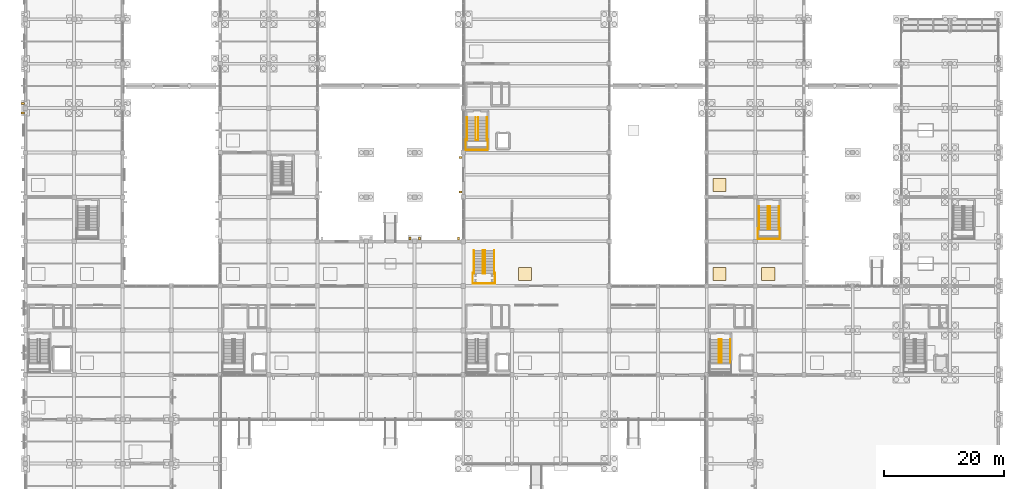
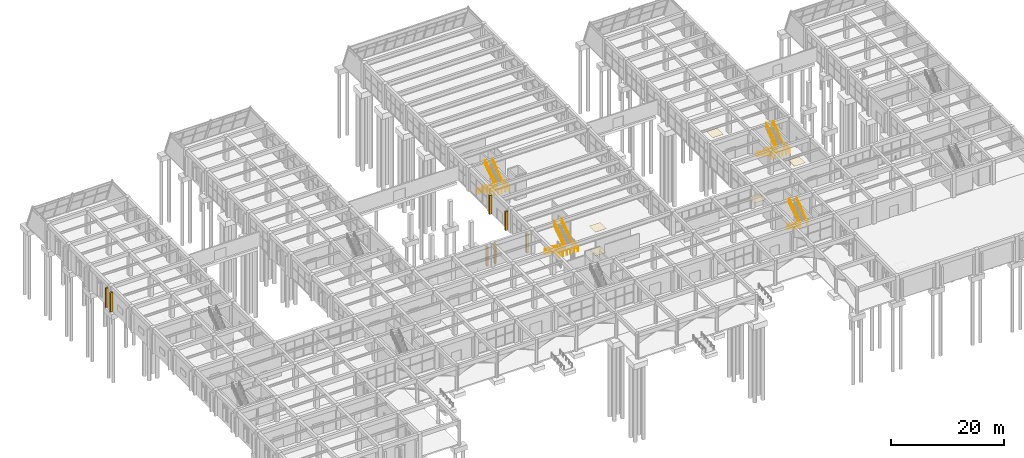
# One storey, part 136 of 140: 14 railings, 7 shading devices, 5 coverings.
"""IFC4 building model written with IfcOpenShell, lengths in metres."""

from ifc_helpers import new_model, si_unit, direction, frame, origin, origin_2d, place, context, subcontext, project, spatial, rectangle, circle, extrude, material, layer, layer_set, type_object, element, save


model = new_model("IFC4")

# Units and contexts
model_context = context("Model", 3, precision=1e-05, world=origin(), true_north=direction((0.0, 1.0)))
body_context = subcontext(model_context, "Body", "Model", "MODEL_VIEW")
ifc_project = project(units=[si_unit("LENGTHUNIT", "METRE"), si_unit("AREAUNIT", "SQUARE_METRE"), si_unit("VOLUMEUNIT", "CUBIC_METRE"), si_unit("PLANEANGLEUNIT", "RADIAN"), si_unit("MASSUNIT", "GRAM", prefix="KILO")], contexts=[model_context])

# Site, building, storey
site_placement = place(None, origin())
site = spatial("IfcSite", under=ifc_project, at=site_placement, CompositionType="ELEMENT")
building_placement = place(site_placement, origin())
building = spatial("IfcBuilding", under=site, at=building_placement, Name="Cimatlan Art Gallery", CompositionType="ELEMENT")
storey_placement = place(building_placement, origin())
storey = spatial("IfcBuildingStorey", under=building, at=storey_placement, Name="L00", CompositionType="ELEMENT", Elevation=0.0)

# Coverings
ifc_material_1 = material(Name="Micro-perforated acoustic gypsum ceiling")
ifc_layer_1 = layer(ifc_material_1, 0.030029296875)
ifc_layer_set_1 = layer_set([ifc_layer_1], Name="Micro-perforated acoustic gypsum ceiling")
covering_type_1 = type_object("IfcCoveringType", Name="COV-CEIL-ACOUSTIC-30", PredefinedType="CEILING", material=ifc_layer_set_1)
for number, where, z_axis, x_axis, name in (
    (1, (85.14990234375, 40.699951171875, 5.10498046875), (0.0, 0.0, 1.0), (1.0, 0.0, 0.0), "CLG-L00-GAL-C1"),
    (2, (125.64990234375, 40.699951171875, 5.10498046875), (0.0, 0.0, 1.0), (1.0, 0.0, 0.0), "CLG-L00-GAL-E1B"),
    (3, (117.550048828125, 55.5, 5.10498046875), (0.0, 0.0, 1.0), (1.0, 0.0, 0.0), "CLG-L00-GAL-E2"),
):
    element("IfcCovering", number, at=place(storey_placement, frame(where, z_axis=z_axis, x_axis=x_axis)), inside=storey, type_object=covering_type_1, Name=name, PredefinedType="CEILING", context=body_context, shape_type="SweptSolid", body=[
        extrude(rectangle(XDim=2.199951171875, YDim=2.199951171875, at=origin_2d()), origin(), (0.0, 0.0, 1.0), 0.030029296875),
    ])
ifc_material_2 = material(Name="Honed Queretaro limestone terrazzo flooring", Category="masonry")
ifc_layer_2 = layer(ifc_material_2, 0.02001953125)
ifc_layer_set_2 = layer_set([ifc_layer_2], Name="Honed Queretaro limestone terrazzo flooring")
covering_type_2 = type_object("IfcCoveringType", Name="COV-FLR-TERRAZZO-20", PredefinedType="FLOORING", material=ifc_layer_set_2)
for number, where, z_axis, x_axis, name in (
    (4, (85.14990234375, 40.699951171875, 0.0), (0.0, 0.0, 1.0), (1.0, 0.0, 0.0), "FLR-L00-GAL-C1"),
    (5, (117.550048828125, 40.699951171875, 0.0), (0.0, 0.0, 1.0), (1.0, 0.0, 0.0), "FLR-L00-GAL-E1"),
):
    element("IfcCovering", number, at=place(storey_placement, frame(where, z_axis=z_axis, x_axis=x_axis)), inside=storey, type_object=covering_type_2, Name=name, PredefinedType="FLOORING", context=body_context, shape_type="SweptSolid", body=[
        extrude(rectangle(XDim=2.199951171875, YDim=2.199951171875, at=origin_2d()), origin(), (0.0, 0.0, 1.0), 0.02001953125),
    ])

# Railings
ifc_material_3 = material(Name="Painted steel and bronze interior balustrade", Category="steel")
railing_type_1 = type_object("IfcRailingType", Name="RL-BAL-INT-1120", PredefinedType="BALUSTRADE", material=ifc_material_3)
railing_1_placement = place(storey_placement, frame((117.469970703125, 29.780029296875, 0.0)))
element("IfcRailing", 6, at=railing_1_placement, inside=storey, type_object=railing_type_1, Name="STR-C4-L00-GRD", PredefinedType="BALUSTRADE", context=body_context, shape_type="SweptSolid", body=[
    extrude(circle(Radius=0.02392578125, at=origin_2d()), frame((0.0, 0.0, 1.09619140625), z_axis=(0.0, -0.816969308413, 0.5766811503), x_axis=(1.0, 0.0, 0.0)), (0.0, 0.0, 1.0), 4.681884765625),
    extrude(circle(Radius=0.02392578125, at=origin_2d()), frame((0.0, -3.824951171875, 3.7958984375), z_axis=(1.0, 0.0, 0.0), x_axis=(0.0, 1.0, 0.0)), (0.0, 0.0, 1.0), 0.400146484375),
    extrude(circle(Radius=0.02392578125, at=origin_2d()), frame((0.400146484375, -3.824951171875, 3.7958984375), z_axis=(0.0, 0.816969308413, 0.5766811503), x_axis=(-1.0, 0.0, 0.0)), (0.0, 0.0, 1.0), 4.681884765625),
    extrude(circle(Radius=0.02001953125, at=origin_2d()), origin(), (0.0, 0.0, 1.0), 1.072021484375),
    extrude(circle(Radius=0.02001953125, at=origin_2d()), frame((0.0, -0.637451171875, 0.449951171875)), (0.0, 0.0, 1.0), 1.072021484375),
    extrude(circle(Radius=0.02001953125, at=origin_2d()), frame((0.0, -1.27490234375, 0.89990234375)), (0.0, 0.0, 1.0), 1.072021484375),
    extrude(circle(Radius=0.02001953125, at=origin_2d()), frame((0.0, -1.91259765625, 1.35009765625)), (0.0, 0.0, 1.0), 1.072021484375),
    extrude(circle(Radius=0.02001953125, at=origin_2d()), frame((0.0, -2.550048828125, 1.800048828125)), (0.0, 0.0, 1.0), 1.072021484375),
    extrude(circle(Radius=0.02001953125, at=origin_2d()), frame((0.0, -3.1875, 2.25)), (0.0, 0.0, 1.0), 1.072021484375),
    extrude(circle(Radius=0.02001953125, at=origin_2d()), frame((0.0, -3.824951171875, 2.699951171875)), (0.0, 0.0, 1.0), 1.072021484375),
    extrude(circle(Radius=0.02001953125, at=origin_2d()), frame((0.400146484375, -3.824951171875, 2.699951171875)), (0.0, 0.0, 1.0), 1.072021484375),
    extrude(circle(Radius=0.02001953125, at=origin_2d()), frame((0.400146484375, -3.1875, 3.14990234375)), (0.0, 0.0, 1.0), 1.072021484375),
    extrude(circle(Radius=0.02001953125, at=origin_2d()), frame((0.400146484375, -2.550048828125, 3.599853515625)), (0.0, 0.0, 1.0), 1.072021484375),
    extrude(circle(Radius=0.02001953125, at=origin_2d()), frame((0.400146484375, -1.91259765625, 4.0498046875)), (0.0, 0.0, 1.0), 1.072021484375),
    extrude(circle(Radius=0.02001953125, at=origin_2d()), frame((0.400146484375, -1.27490234375, 4.5)), (0.0, 0.0, 1.0), 1.072021484375),
    extrude(circle(Radius=0.02001953125, at=origin_2d()), frame((0.400146484375, -0.637451171875, 4.949951171875)), (0.0, 0.0, 1.0), 1.072021484375),
    extrude(circle(Radius=0.02001953125, at=origin_2d()), frame((0.400146484375, 0.0, 5.39990234375)), (0.0, 0.0, 1.0), 1.072021484375),
])
railing_2_placement = place(storey_placement, frame((75.31005859375, 63.06494140625, 2.699951171875)))
element("IfcRailing", 7, at=railing_2_placement, inside=storey, type_object=railing_type_1, Name="STR-C6-L00-LGRD", PredefinedType="BALUSTRADE", context=body_context, shape_type="SweptSolid", body=[
    extrude(circle(Radius=0.02392578125, at=origin_2d()), frame((0.0, 0.0, 1.09619140625), z_axis=(0.0, -1.0, 0.0), x_axis=(1.0, 0.0, 0.0)), (0.0, 0.0, 1.0), 1.7548828125),
    extrude(circle(Radius=0.02392578125, at=origin_2d()), frame((0.0, -1.7548828125, 1.09619140625), z_axis=(1.0, 0.0, 0.0), x_axis=(0.0, 1.0, 0.0)), (0.0, 0.0, 1.0), 3.669921875),
    extrude(circle(Radius=0.02392578125, at=origin_2d()), frame((3.669921875, -1.7548828125, 1.09619140625), z_axis=(0.0, 1.0, 0.0), x_axis=(-1.0, 0.0, 0.0)), (0.0, 0.0, 1.0), 1.7548828125),
    extrude(circle(Radius=0.02001953125, at=origin_2d()), origin(), (0.0, 0.0, 1.0), 1.072021484375),
    extrude(circle(Radius=0.02001953125, at=origin_2d()), frame((0.0, -0.87744140625, 0.0)), (0.0, 0.0, 1.0), 1.072021484375),
    extrude(circle(Radius=0.02001953125, at=origin_2d()), frame((0.0, -1.7548828125, 0.0)), (0.0, 0.0, 1.0), 1.072021484375),
    extrude(circle(Radius=0.02001953125, at=origin_2d()), frame((0.73388671875, -1.7548828125, 0.0)), (0.0, 0.0, 1.0), 1.072021484375),
    extrude(circle(Radius=0.02001953125, at=origin_2d()), frame((1.468017578125, -1.7548828125, 0.0)), (0.0, 0.0, 1.0), 1.072021484375),
    extrude(circle(Radius=0.02001953125, at=origin_2d()), frame((2.201904296875, -1.7548828125, 0.0)), (0.0, 0.0, 1.0), 1.072021484375),
    extrude(circle(Radius=0.02001953125, at=origin_2d()), frame((2.93603515625, -1.7548828125, 0.0)), (0.0, 0.0, 1.0), 1.072021484375),
    extrude(circle(Radius=0.02001953125, at=origin_2d()), frame((3.669921875, -1.7548828125, 0.0)), (0.0, 0.0, 1.0), 1.072021484375),
    extrude(circle(Radius=0.02001953125, at=origin_2d()), frame((3.669921875, -0.87744140625, 0.0)), (0.0, 0.0, 1.0), 1.072021484375),
    extrude(circle(Radius=0.02001953125, at=origin_2d()), frame((3.669921875, 0.0, 0.0)), (0.0, 0.0, 1.0), 1.072021484375),
])
railing_3_placement = place(storey_placement, frame((76.969970703125, 66.780029296875, 0.0)))
element("IfcRailing", 8, at=railing_3_placement, inside=storey, type_object=railing_type_1, Name="STR-C6-L00-GRD", PredefinedType="BALUSTRADE", context=body_context, shape_type="SweptSolid", body=[
    extrude(circle(Radius=0.02392578125, at=origin_2d()), frame((0.0, 0.0, 1.09619140625), z_axis=(0.0, -0.816969308413, 0.5766811503), x_axis=(1.0, 0.0, 0.0)), (0.0, 0.0, 1.0), 4.681884765625),
    extrude(circle(Radius=0.02392578125, at=origin_2d()), frame((0.0, -3.824951171875, 3.7958984375), z_axis=(1.0, 0.0, 0.0), x_axis=(0.0, 1.0, 0.0)), (0.0, 0.0, 1.0), 0.400146484375),
    extrude(circle(Radius=0.02392578125, at=origin_2d()), frame((0.400146484375, -3.824951171875, 3.7958984375), z_axis=(0.0, 0.816969308413, 0.5766811503), x_axis=(-1.0, 0.0, 0.0)), (0.0, 0.0, 1.0), 4.681884765625),
    extrude(circle(Radius=0.02001953125, at=origin_2d()), origin(), (0.0, 0.0, 1.0), 1.072021484375),
    extrude(circle(Radius=0.02001953125, at=origin_2d()), frame((0.0, -0.637451171875, 0.449951171875)), (0.0, 0.0, 1.0), 1.072021484375),
    extrude(circle(Radius=0.02001953125, at=origin_2d()), frame((0.0, -1.27490234375, 0.89990234375)), (0.0, 0.0, 1.0), 1.072021484375),
    extrude(circle(Radius=0.02001953125, at=origin_2d()), frame((0.0, -1.91259765625, 1.35009765625)), (0.0, 0.0, 1.0), 1.072021484375),
    extrude(circle(Radius=0.02001953125, at=origin_2d()), frame((0.0, -2.550048828125, 1.800048828125)), (0.0, 0.0, 1.0), 1.072021484375),
    extrude(circle(Radius=0.02001953125, at=origin_2d()), frame((0.0, -3.1875, 2.25)), (0.0, 0.0, 1.0), 1.072021484375),
    extrude(circle(Radius=0.02001953125, at=origin_2d()), frame((0.0, -3.824951171875, 2.699951171875)), (0.0, 0.0, 1.0), 1.072021484375),
    extrude(circle(Radius=0.02001953125, at=origin_2d()), frame((0.400146484375, -3.824951171875, 2.699951171875)), (0.0, 0.0, 1.0), 1.072021484375),
    extrude(circle(Radius=0.02001953125, at=origin_2d()), frame((0.400146484375, -3.1875, 3.14990234375)), (0.0, 0.0, 1.0), 1.072021484375),
    extrude(circle(Radius=0.02001953125, at=origin_2d()), frame((0.400146484375, -2.550048828125, 3.599853515625)), (0.0, 0.0, 1.0), 1.072021484375),
    extrude(circle(Radius=0.02001953125, at=origin_2d()), frame((0.400146484375, -1.91259765625, 4.0498046875)), (0.0, 0.0, 1.0), 1.072021484375),
    extrude(circle(Radius=0.02001953125, at=origin_2d()), frame((0.400146484375, -1.27490234375, 4.5)), (0.0, 0.0, 1.0), 1.072021484375),
    extrude(circle(Radius=0.02001953125, at=origin_2d()), frame((0.400146484375, -0.637451171875, 4.949951171875)), (0.0, 0.0, 1.0), 1.072021484375),
    extrude(circle(Radius=0.02001953125, at=origin_2d()), frame((0.400146484375, 0.0, 5.39990234375)), (0.0, 0.0, 1.0), 1.072021484375),
])
railing_4_placement = place(storey_placement, frame((123.909912109375, 48.264892578125, 2.699951171875)))
element("IfcRailing", 9, at=railing_4_placement, inside=storey, type_object=railing_type_1, Name="STR-C9-L00-LGRD", PredefinedType="BALUSTRADE", context=body_context, shape_type="SweptSolid", body=[
    extrude(circle(Radius=0.02392578125, at=origin_2d()), frame((0.0, 0.0, 1.09619140625), z_axis=(0.0, -1.0, 0.0), x_axis=(1.0, 0.0, 0.0)), (0.0, 0.0, 1.0), 1.7548828125),
    extrude(circle(Radius=0.02392578125, at=origin_2d()), frame((0.0, -1.7548828125, 1.09619140625), z_axis=(1.0, 0.0, 0.0), x_axis=(0.0, 1.0, 0.0)), (0.0, 0.0, 1.0), 3.670166015625),
    extrude(circle(Radius=0.02392578125, at=origin_2d()), frame((3.670166015625, -1.7548828125, 1.09619140625), z_axis=(0.0, 1.0, 0.0), x_axis=(-1.0, 0.0, 0.0)), (0.0, 0.0, 1.0), 1.7548828125),
    extrude(circle(Radius=0.02001953125, at=origin_2d()), origin(), (0.0, 0.0, 1.0), 1.072021484375),
    extrude(circle(Radius=0.02001953125, at=origin_2d()), frame((0.0, -0.87744140625, 0.0)), (0.0, 0.0, 1.0), 1.072021484375),
    extrude(circle(Radius=0.02001953125, at=origin_2d()), frame((0.0, -1.7548828125, 0.0)), (0.0, 0.0, 1.0), 1.072021484375),
    extrude(circle(Radius=0.02001953125, at=origin_2d()), frame((0.734130859375, -1.7548828125, 0.0)), (0.0, 0.0, 1.0), 1.072021484375),
    extrude(circle(Radius=0.02001953125, at=origin_2d()), frame((1.468017578125, -1.7548828125, 0.0)), (0.0, 0.0, 1.0), 1.072021484375),
    extrude(circle(Radius=0.02001953125, at=origin_2d()), frame((2.2021484375, -1.7548828125, 0.0)), (0.0, 0.0, 1.0), 1.072021484375),
    extrude(circle(Radius=0.02001953125, at=origin_2d()), frame((2.93603515625, -1.7548828125, 0.0)), (0.0, 0.0, 1.0), 1.072021484375),
    extrude(circle(Radius=0.02001953125, at=origin_2d()), frame((3.670166015625, -1.7548828125, 0.0)), (0.0, 0.0, 1.0), 1.072021484375),
    extrude(circle(Radius=0.02001953125, at=origin_2d()), frame((3.670166015625, -0.87744140625, 0.0)), (0.0, 0.0, 1.0), 1.072021484375),
    extrude(circle(Radius=0.02001953125, at=origin_2d()), frame((3.670166015625, 0.0, 0.0)), (0.0, 0.0, 1.0), 1.072021484375),
])
railing_5_placement = place(storey_placement, frame((125.570068359375, 51.97998046875, 0.0)))
element("IfcRailing", 10, at=railing_5_placement, inside=storey, type_object=railing_type_1, Name="STR-C9-L00-GRD", PredefinedType="BALUSTRADE", context=body_context, shape_type="SweptSolid", body=[
    extrude(circle(Radius=0.02392578125, at=origin_2d()), frame((0.0, 0.0, 1.09619140625), z_axis=(0.0, -0.816969308413, 0.5766811503), x_axis=(1.0, 0.0, 0.0)), (0.0, 0.0, 1.0), 4.681884765625),
    extrude(circle(Radius=0.02392578125, at=origin_2d()), frame((0.0, -3.824951171875, 3.7958984375), z_axis=(1.0, 0.0, 0.0), x_axis=(0.0, 1.0, 0.0)), (0.0, 0.0, 1.0), 0.39990234375),
    extrude(circle(Radius=0.02392578125, at=origin_2d()), frame((0.39990234375, -3.824951171875, 3.7958984375), z_axis=(0.0, 0.816969308413, 0.5766811503), x_axis=(-1.0, 0.0, 0.0)), (0.0, 0.0, 1.0), 4.681884765625),
    extrude(circle(Radius=0.02001953125, at=origin_2d()), origin(), (0.0, 0.0, 1.0), 1.072021484375),
    extrude(circle(Radius=0.02001953125, at=origin_2d()), frame((0.0, -0.637451171875, 0.449951171875)), (0.0, 0.0, 1.0), 1.072021484375),
    extrude(circle(Radius=0.02001953125, at=origin_2d()), frame((0.0, -1.27490234375, 0.89990234375)), (0.0, 0.0, 1.0), 1.072021484375),
    extrude(circle(Radius=0.02001953125, at=origin_2d()), frame((0.0, -1.91259765625, 1.35009765625)), (0.0, 0.0, 1.0), 1.072021484375),
    extrude(circle(Radius=0.02001953125, at=origin_2d()), frame((0.0, -2.550048828125, 1.800048828125)), (0.0, 0.0, 1.0), 1.072021484375),
    extrude(circle(Radius=0.02001953125, at=origin_2d()), frame((0.0, -3.1875, 2.25)), (0.0, 0.0, 1.0), 1.072021484375),
    extrude(circle(Radius=0.02001953125, at=origin_2d()), frame((0.0, -3.824951171875, 2.699951171875)), (0.0, 0.0, 1.0), 1.072021484375),
    extrude(circle(Radius=0.02001953125, at=origin_2d()), frame((0.39990234375, -3.824951171875, 2.699951171875)), (0.0, 0.0, 1.0), 1.072021484375),
    extrude(circle(Radius=0.02001953125, at=origin_2d()), frame((0.39990234375, -3.1875, 3.14990234375)), (0.0, 0.0, 1.0), 1.072021484375),
    extrude(circle(Radius=0.02001953125, at=origin_2d()), frame((0.39990234375, -2.550048828125, 3.599853515625)), (0.0, 0.0, 1.0), 1.072021484375),
    extrude(circle(Radius=0.02001953125, at=origin_2d()), frame((0.39990234375, -1.91259765625, 4.0498046875)), (0.0, 0.0, 1.0), 1.072021484375),
    extrude(circle(Radius=0.02001953125, at=origin_2d()), frame((0.39990234375, -1.27490234375, 4.5)), (0.0, 0.0, 1.0), 1.072021484375),
    extrude(circle(Radius=0.02001953125, at=origin_2d()), frame((0.39990234375, -0.637451171875, 4.949951171875)), (0.0, 0.0, 1.0), 1.072021484375),
    extrude(circle(Radius=0.02001953125, at=origin_2d()), frame((0.39990234375, 0.0, 5.39990234375)), (0.0, 0.0, 1.0), 1.072021484375),
])
railing_6_placement = place(storey_placement, frame((76.4599609375, 40.864990234375, 2.699951171875)))
element("IfcRailing", 11, at=railing_6_placement, inside=storey, type_object=railing_type_1, Name="STR-FEAT-01-LGRD", PredefinedType="BALUSTRADE", context=body_context, shape_type="SweptSolid", body=[
    extrude(circle(Radius=0.02392578125, at=origin_2d()), frame((0.0, 0.0, 1.09619140625), z_axis=(0.0, -1.0, 0.0), x_axis=(1.0, 0.0, 0.0)), (0.0, 0.0, 1.0), 1.7548828125),
    extrude(circle(Radius=0.02392578125, at=origin_2d()), frame((0.0, -1.7548828125, 1.09619140625), z_axis=(1.0, 0.0, 0.0), x_axis=(0.0, 1.0, 0.0)), (0.0, 0.0, 1.0), 3.72998046875),
    extrude(circle(Radius=0.02392578125, at=origin_2d()), frame((3.72998046875, -1.7548828125, 1.09619140625), z_axis=(0.0, 1.0, 0.0), x_axis=(-1.0, 0.0, 0.0)), (0.0, 0.0, 1.0), 1.7548828125),
    extrude(circle(Radius=0.02001953125, at=origin_2d()), origin(), (0.0, 0.0, 1.0), 1.072021484375),
    extrude(circle(Radius=0.02001953125, at=origin_2d()), frame((0.0, -0.87744140625, 0.0)), (0.0, 0.0, 1.0), 1.072021484375),
    extrude(circle(Radius=0.02001953125, at=origin_2d()), frame((0.0, -1.7548828125, 0.0)), (0.0, 0.0, 1.0), 1.072021484375),
    extrude(circle(Radius=0.02001953125, at=origin_2d()), frame((0.74609375, -1.7548828125, 0.0)), (0.0, 0.0, 1.0), 1.072021484375),
    extrude(circle(Radius=0.02001953125, at=origin_2d()), frame((1.491943359375, -1.7548828125, 0.0)), (0.0, 0.0, 1.0), 1.072021484375),
    extrude(circle(Radius=0.02001953125, at=origin_2d()), frame((2.238037109375, -1.7548828125, 0.0)), (0.0, 0.0, 1.0), 1.072021484375),
    extrude(circle(Radius=0.02001953125, at=origin_2d()), frame((2.98388671875, -1.7548828125, 0.0)), (0.0, 0.0, 1.0), 1.072021484375),
    extrude(circle(Radius=0.02001953125, at=origin_2d()), frame((3.72998046875, -1.7548828125, 0.0)), (0.0, 0.0, 1.0), 1.072021484375),
    extrude(circle(Radius=0.02001953125, at=origin_2d()), frame((3.72998046875, -0.87744140625, 0.0)), (0.0, 0.0, 1.0), 1.072021484375),
    extrude(circle(Radius=0.02001953125, at=origin_2d()), frame((3.72998046875, 0.0, 0.0)), (0.0, 0.0, 1.0), 1.072021484375),
])
railing_7_placement = place(storey_placement, frame((78.169921875, 44.580078125, 0.0)))
element("IfcRailing", 12, at=railing_7_placement, inside=storey, type_object=railing_type_1, Name="STR-FEAT-01-GRD", PredefinedType="BALUSTRADE", context=body_context, shape_type="SweptSolid", body=[
    extrude(circle(Radius=0.02392578125, at=origin_2d()), frame((0.0, 0.0, 1.09619140625), z_axis=(0.0, -0.816986648995, 0.576656583561), x_axis=(1.0, 0.0, 0.0)), (0.0, 0.0, 1.0), 4.68212890625),
    extrude(circle(Radius=0.02392578125, at=origin_2d()), frame((0.0, -3.8251953125, 3.7958984375), z_axis=(1.0, 0.0, 0.0), x_axis=(0.0, 1.0, 0.0)), (0.0, 0.0, 1.0), 0.360107421875),
    extrude(circle(Radius=0.02392578125, at=origin_2d()), frame((0.360107421875, -3.8251953125, 3.7958984375), z_axis=(0.0, 0.816986648995, 0.576656583561), x_axis=(-1.0, 0.0, 0.0)), (0.0, 0.0, 1.0), 4.68212890625),
    extrude(circle(Radius=0.02001953125, at=origin_2d()), origin(), (0.0, 0.0, 1.0), 1.072021484375),
    extrude(circle(Radius=0.02001953125, at=origin_2d()), frame((0.0, -0.637451171875, 0.449951171875)), (0.0, 0.0, 1.0), 1.072021484375),
    extrude(circle(Radius=0.02001953125, at=origin_2d()), frame((0.0, -1.275146484375, 0.89990234375)), (0.0, 0.0, 1.0), 1.072021484375),
    extrude(circle(Radius=0.02001953125, at=origin_2d()), frame((0.0, -1.91259765625, 1.35009765625)), (0.0, 0.0, 1.0), 1.072021484375),
    extrude(circle(Radius=0.02001953125, at=origin_2d()), frame((0.0, -2.550048828125, 1.800048828125)), (0.0, 0.0, 1.0), 1.072021484375),
    extrude(circle(Radius=0.02001953125, at=origin_2d()), frame((0.0, -3.187744140625, 2.25)), (0.0, 0.0, 1.0), 1.072021484375),
    extrude(circle(Radius=0.02001953125, at=origin_2d()), frame((0.0, -3.8251953125, 2.699951171875)), (0.0, 0.0, 1.0), 1.072021484375),
    extrude(circle(Radius=0.02001953125, at=origin_2d()), frame((0.360107421875, -3.8251953125, 2.699951171875)), (0.0, 0.0, 1.0), 1.072021484375),
    extrude(circle(Radius=0.02001953125, at=origin_2d()), frame((0.360107421875, -3.187744140625, 3.14990234375)), (0.0, 0.0, 1.0), 1.072021484375),
    extrude(circle(Radius=0.02001953125, at=origin_2d()), frame((0.360107421875, -2.550048828125, 3.599853515625)), (0.0, 0.0, 1.0), 1.072021484375),
    extrude(circle(Radius=0.02001953125, at=origin_2d()), frame((0.360107421875, -1.91259765625, 4.0498046875)), (0.0, 0.0, 1.0), 1.072021484375),
    extrude(circle(Radius=0.02001953125, at=origin_2d()), frame((0.360107421875, -1.275146484375, 4.5)), (0.0, 0.0, 1.0), 1.072021484375),
    extrude(circle(Radius=0.02001953125, at=origin_2d()), frame((0.360107421875, -0.637451171875, 4.949951171875)), (0.0, 0.0, 1.0), 1.072021484375),
    extrude(circle(Radius=0.02001953125, at=origin_2d()), frame((0.360107421875, 0.0, 5.39990234375)), (0.0, 0.0, 1.0), 1.072021484375),
])
railing_8_placement = place(storey_placement, frame((76.659912109375, 44.580078125, 0.0)))
element("IfcRailing", 13, at=railing_8_placement, inside=storey, type_object=railing_type_1, Name="STR-FEAT-01-HR1", PredefinedType="BALUSTRADE", context=body_context, shape_type="SweptSolid", body=[
    extrude(circle(Radius=0.02197265625, at=origin_2d()), frame((0.0, 0.0, 1.09814453125), z_axis=(0.0, -0.816986648995, 0.576656583561), x_axis=(1.0, 0.0, 0.0)), (0.0, 0.0, 1.0), 4.68212890625),
    extrude(circle(Radius=0.01904296875, at=origin_2d()), origin(), (0.0, 0.0, 1.0), 1.076171875),
    extrude(circle(Radius=0.01904296875, at=origin_2d()), frame((0.0, -0.76513671875, 0.5400390625)), (0.0, 0.0, 1.0), 1.076171875),
    extrude(circle(Radius=0.01904296875, at=origin_2d()), frame((0.0, -1.530029296875, 1.080078125)), (0.0, 0.0, 1.0), 1.076171875),
    extrude(circle(Radius=0.01904296875, at=origin_2d()), frame((0.0, -2.295166015625, 1.619873046875)), (0.0, 0.0, 1.0), 1.076171875),
    extrude(circle(Radius=0.01904296875, at=origin_2d()), frame((0.0, -3.06005859375, 2.159912109375)), (0.0, 0.0, 1.0), 1.076171875),
    extrude(circle(Radius=0.01904296875, at=origin_2d()), frame((0.0, -3.8251953125, 2.699951171875)), (0.0, 0.0, 1.0), 1.076171875),
])
railing_9_placement = place(storey_placement, frame((80.0400390625, 40.7548828125, 2.699951171875)))
element("IfcRailing", 14, at=railing_9_placement, inside=storey, type_object=railing_type_1, Name="STR-FEAT-01-HR2", PredefinedType="BALUSTRADE", context=body_context, shape_type="SweptSolid", body=[
    extrude(circle(Radius=0.02197265625, at=origin_2d()), frame((0.0, 0.0, 1.09814453125), z_axis=(0.0, 0.816986648995, 0.576656583561), x_axis=(-1.0, 0.0, 0.0)), (0.0, 0.0, 1.0), 4.68212890625),
    extrude(circle(Radius=0.01904296875, at=origin_2d()), origin(), (0.0, 0.0, 1.0), 1.076171875),
    extrude(circle(Radius=0.01904296875, at=origin_2d()), frame((0.0, 0.76513671875, 0.5400390625)), (0.0, 0.0, 1.0), 1.076171875),
    extrude(circle(Radius=0.01904296875, at=origin_2d()), frame((0.0, 1.530029296875, 1.080078125)), (0.0, 0.0, 1.0), 1.076171875),
    extrude(circle(Radius=0.01904296875, at=origin_2d()), frame((0.0, 2.295166015625, 1.619873046875)), (0.0, 0.0, 1.0), 1.076171875),
    extrude(circle(Radius=0.01904296875, at=origin_2d()), frame((0.0, 3.06005859375, 2.159912109375)), (0.0, 0.0, 1.0), 1.076171875),
    extrude(circle(Radius=0.01904296875, at=origin_2d()), frame((0.0, 3.8251953125, 2.699951171875)), (0.0, 0.0, 1.0), 1.076171875),
])
ifc_material_4 = material(Name="Brushed bronze stair handrail")
railing_type_2 = type_object("IfcRailingType", Name="RL-HND-INT-920", PredefinedType="HANDRAIL", material=ifc_material_4)
railing_10_placement = place(storey_placement, frame((119.330078125, 25.955078125, 2.699951171875)))
element("IfcRailing", 15, at=railing_10_placement, inside=storey, type_object=railing_type_2, Name="STR-C4-L00-HR2", PredefinedType="HANDRAIL", context=body_context, shape_type="SweptSolid", body=[
    extrude(circle(Radius=0.02197265625, at=origin_2d()), frame((0.0, 0.0, 0.89794921875), z_axis=(0.0, 0.816969308413, 0.5766811503), x_axis=(-1.0, 0.0, 0.0)), (0.0, 0.0, 1.0), 4.681884765625),
    extrude(circle(Radius=0.01904296875, at=origin_2d()), origin(), (0.0, 0.0, 1.0), 0.8759765625),
    extrude(circle(Radius=0.01904296875, at=origin_2d()), frame((0.0, 0.764892578125, 0.5400390625)), (0.0, 0.0, 1.0), 0.8759765625),
    extrude(circle(Radius=0.01904296875, at=origin_2d()), frame((0.0, 1.530029296875, 1.080078125)), (0.0, 0.0, 1.0), 0.8759765625),
    extrude(circle(Radius=0.01904296875, at=origin_2d()), frame((0.0, 2.294921875, 1.619873046875)), (0.0, 0.0, 1.0), 0.8759765625),
    extrude(circle(Radius=0.01904296875, at=origin_2d()), frame((0.0, 3.06005859375, 2.159912109375)), (0.0, 0.0, 1.0), 0.8759765625),
    extrude(circle(Radius=0.01904296875, at=origin_2d()), frame((0.0, 3.824951171875, 2.699951171875)), (0.0, 0.0, 1.0), 0.8759765625),
])
railing_11_placement = place(storey_placement, frame((75.510009765625, 66.780029296875, 0.0)))
element("IfcRailing", 16, at=railing_11_placement, inside=storey, type_object=railing_type_2, Name="STR-C6-L00-HR1", PredefinedType="HANDRAIL", context=body_context, shape_type="SweptSolid", body=[
    extrude(circle(Radius=0.02197265625, at=origin_2d()), frame((0.0, 0.0, 0.89794921875), z_axis=(0.0, -0.816969308413, 0.5766811503), x_axis=(1.0, 0.0, 0.0)), (0.0, 0.0, 1.0), 4.681884765625),
    extrude(circle(Radius=0.01904296875, at=origin_2d()), origin(), (0.0, 0.0, 1.0), 0.8759765625),
    extrude(circle(Radius=0.01904296875, at=origin_2d()), frame((0.0, -0.764892578125, 0.5400390625)), (0.0, 0.0, 1.0), 0.8759765625),
    extrude(circle(Radius=0.01904296875, at=origin_2d()), frame((0.0, -1.530029296875, 1.080078125)), (0.0, 0.0, 1.0), 0.8759765625),
    extrude(circle(Radius=0.01904296875, at=origin_2d()), frame((0.0, -2.294921875, 1.619873046875)), (0.0, 0.0, 1.0), 0.8759765625),
    extrude(circle(Radius=0.01904296875, at=origin_2d()), frame((0.0, -3.06005859375, 2.159912109375)), (0.0, 0.0, 1.0), 0.8759765625),
    extrude(circle(Radius=0.01904296875, at=origin_2d()), frame((0.0, -3.824951171875, 2.699951171875)), (0.0, 0.0, 1.0), 0.8759765625),
])
railing_12_placement = place(storey_placement, frame((78.830078125, 62.955078125, 2.699951171875)))
element("IfcRailing", 17, at=railing_12_placement, inside=storey, type_object=railing_type_2, Name="STR-C6-L00-HR2", PredefinedType="HANDRAIL", context=body_context, shape_type="SweptSolid", body=[
    extrude(circle(Radius=0.02197265625, at=origin_2d()), frame((0.0, 0.0, 0.89794921875), z_axis=(0.0, 0.816969308413, 0.5766811503), x_axis=(-1.0, 0.0, 0.0)), (0.0, 0.0, 1.0), 4.681884765625),
    extrude(circle(Radius=0.01904296875, at=origin_2d()), origin(), (0.0, 0.0, 1.0), 0.8759765625),
    extrude(circle(Radius=0.01904296875, at=origin_2d()), frame((0.0, 0.764892578125, 0.5400390625)), (0.0, 0.0, 1.0), 0.8759765625),
    extrude(circle(Radius=0.01904296875, at=origin_2d()), frame((0.0, 1.530029296875, 1.080078125)), (0.0, 0.0, 1.0), 0.8759765625),
    extrude(circle(Radius=0.01904296875, at=origin_2d()), frame((0.0, 2.294921875, 1.619873046875)), (0.0, 0.0, 1.0), 0.8759765625),
    extrude(circle(Radius=0.01904296875, at=origin_2d()), frame((0.0, 3.06005859375, 2.159912109375)), (0.0, 0.0, 1.0), 0.8759765625),
    extrude(circle(Radius=0.01904296875, at=origin_2d()), frame((0.0, 3.824951171875, 2.699951171875)), (0.0, 0.0, 1.0), 0.8759765625),
])
railing_13_placement = place(storey_placement, frame((124.110107421875, 51.97998046875, 0.0)))
element("IfcRailing", 18, at=railing_13_placement, inside=storey, type_object=railing_type_2, Name="STR-C9-L00-HR1", PredefinedType="HANDRAIL", context=body_context, shape_type="SweptSolid", body=[
    extrude(circle(Radius=0.02197265625, at=origin_2d()), frame((0.0, 0.0, 0.89794921875), z_axis=(0.0, -0.816969308413, 0.5766811503), x_axis=(1.0, 0.0, 0.0)), (0.0, 0.0, 1.0), 4.681884765625),
    extrude(circle(Radius=0.01904296875, at=origin_2d()), origin(), (0.0, 0.0, 1.0), 0.8759765625),
    extrude(circle(Radius=0.01904296875, at=origin_2d()), frame((0.0, -0.764892578125, 0.5400390625)), (0.0, 0.0, 1.0), 0.8759765625),
    extrude(circle(Radius=0.01904296875, at=origin_2d()), frame((0.0, -1.530029296875, 1.080078125)), (0.0, 0.0, 1.0), 0.8759765625),
    extrude(circle(Radius=0.01904296875, at=origin_2d()), frame((0.0, -2.294921875, 1.619873046875)), (0.0, 0.0, 1.0), 0.8759765625),
    extrude(circle(Radius=0.01904296875, at=origin_2d()), frame((0.0, -3.06005859375, 2.159912109375)), (0.0, 0.0, 1.0), 0.8759765625),
    extrude(circle(Radius=0.01904296875, at=origin_2d()), frame((0.0, -3.824951171875, 2.699951171875)), (0.0, 0.0, 1.0), 0.8759765625),
])
railing_14_placement = place(storey_placement, frame((127.429931640625, 48.155029296875, 2.699951171875)))
element("IfcRailing", 19, at=railing_14_placement, inside=storey, type_object=railing_type_2, Name="STR-C9-L00-HR2", PredefinedType="HANDRAIL", context=body_context, shape_type="SweptSolid", body=[
    extrude(circle(Radius=0.02197265625, at=origin_2d()), frame((0.0, 0.0, 0.89794921875), z_axis=(0.0, 0.816969308413, 0.5766811503), x_axis=(-1.0, 0.0, 0.0)), (0.0, 0.0, 1.0), 4.681884765625),
    extrude(circle(Radius=0.01904296875, at=origin_2d()), origin(), (0.0, 0.0, 1.0), 0.8759765625),
    extrude(circle(Radius=0.01904296875, at=origin_2d()), frame((0.0, 0.764892578125, 0.5400390625)), (0.0, 0.0, 1.0), 0.8759765625),
    extrude(circle(Radius=0.01904296875, at=origin_2d()), frame((0.0, 1.530029296875, 1.080078125)), (0.0, 0.0, 1.0), 0.8759765625),
    extrude(circle(Radius=0.01904296875, at=origin_2d()), frame((0.0, 2.294921875, 1.619873046875)), (0.0, 0.0, 1.0), 0.8759765625),
    extrude(circle(Radius=0.01904296875, at=origin_2d()), frame((0.0, 3.06005859375, 2.159912109375)), (0.0, 0.0, 1.0), 0.8759765625),
    extrude(circle(Radius=0.01904296875, at=origin_2d()), frame((0.0, 3.824951171875, 2.699951171875)), (0.0, 0.0, 1.0), 0.8759765625),
])

# Shading devices
ifc_material_5 = material(Name="Queretaro cantera limestone buttress pilaster", Category="masonry")
shading_device_type = type_object("IfcShadingDeviceType", Name="SHD-BUT-520", PredefinedType="USERDEFINED", material=ifc_material_5)
for number, where, z_axis, x_axis, name in (
    (20, (1.5595703125, 67.5009765625, 0.06005859375), (0.0, 0.0, 1.0), (0.0, 1.0, 0.0), "BUT-0018"),
    (21, (1.5595703125, 69.09912109375, 0.06005859375), (0.0, 0.0, 1.0), (0.0, 1.0, 0.0), "BUT-0019"),
    (22, (66.0009765625, 46.577880859375, 0.06005859375), (0.0, 0.0, 1.0), (1.0, 0.0, 0.0), "BUT-0062"),
    (23, (67.59912109375, 46.577880859375, 0.06005859375), (0.0, 0.0, 1.0), (1.0, 0.0, 0.0), "BUT-0063"),
    (24, (74.075927734375, 46.577880859375, 0.06005859375), (0.0, 0.0, 1.0), (1.0, 0.0, 0.0), "BUT-0064"),
):
    element("IfcShadingDevice", number, at=place(storey_placement, frame(where, z_axis=z_axis, x_axis=x_axis)), inside=storey, type_object=shading_device_type, Name=name, ObjectType="FIN", PredefinedType="USERDEFINED", context=body_context, shape_type="SweptSolid", body=[
        extrude(rectangle(XDim=0.340087890625, YDim=0.52001953125, at=origin_2d()), origin(), (0.0, 0.0, 1.0), 4.14990234375),
    ])
for number, where, z_axis, x_axis, name in (
    (25, (74.422119140625, 54.323974609375, 0.06005859375), (0.0, 0.0, 1.0), (0.0, 1.0, 0.0), "BUT-0065"),
    (26, (74.422119140625, 60.075927734375, 0.06005859375), (0.0, 0.0, 1.0), (0.0, 1.0, 0.0), "BUT-0066"),
):
    element("IfcShadingDevice", number, at=place(storey_placement, frame(where, z_axis=z_axis, x_axis=x_axis)), inside=storey, type_object=shading_device_type, Name=name, ObjectType="FIN", PredefinedType="USERDEFINED", context=body_context, shape_type="SweptSolid", body=[
        extrude(rectangle(XDim=0.340087890625, YDim=0.52001953125, at=origin_2d()), origin(), (0.0, 0.0, 1.0), 4.072998046875),
    ])

save(model, "model.ifc")
